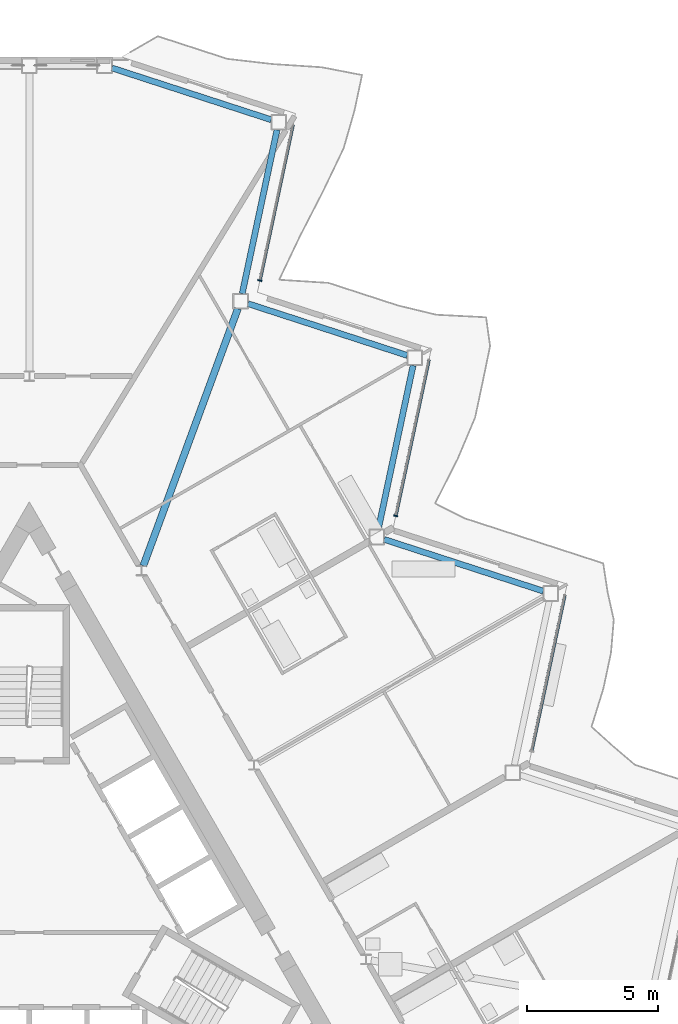
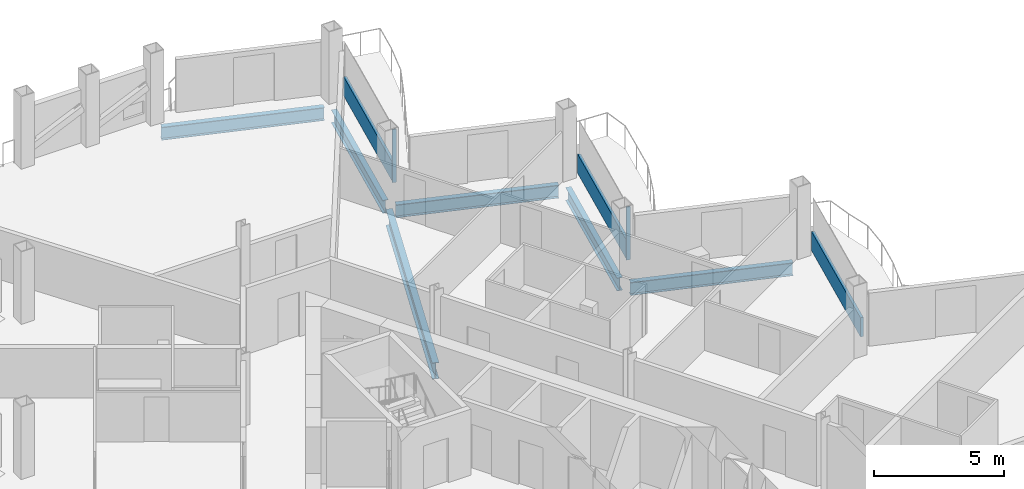
# One storey, part 11 of 28: 6 beams, 5 members, 3 elements without a shape of their own.
"""IFC4 building model written with IfcOpenShell, lengths in metres."""

from ifc_helpers import new_model, si_unit, direction, frame, origin, origin_2d, place, context, subcontext, project, spatial, rectangle, i_section, extrude, material, layer, layer_set, material_profile, profile_set, type_object, element, aggregate, save


model = new_model("IFC4")

# Units and contexts
model_context = context("Model", 3, precision=1e-05, world=origin(), true_north=direction((0.0, 1.0)))
body_context = subcontext(model_context, "Body", "Model", "MODEL_VIEW")
ifc_project = project(units=[si_unit("LENGTHUNIT", "METRE"), si_unit("AREAUNIT", "SQUARE_METRE"), si_unit("VOLUMEUNIT", "CUBIC_METRE"), si_unit("PLANEANGLEUNIT", "RADIAN"), si_unit("MASSUNIT", "GRAM", prefix="KILO")], contexts=[model_context])

# Site, building, storey
site_placement = place(None, origin())
site = spatial("IfcSite", under=ifc_project, at=site_placement, CompositionType="ELEMENT")
building_placement = place(site_placement, origin())
building = spatial("IfcBuilding", under=site, at=building_placement, Name="Cormorant Prow Tower", CompositionType="ELEMENT")
storey_placement = place(building_placement, frame((0.0, 0.0, 305.199951171875)))
storey = spatial("IfcBuildingStorey", under=building, at=storey_placement, Name="L66", CompositionType="ELEMENT", Elevation=305.199951171875)

# Beam
ifc_material_1 = material(Name="Structural steel ASTM A992 Gr 50", Category="steel")
ifc_material_profile_1 = material_profile(ifc_material_1, i_section(OverallWidth=0.267822265625, OverallDepth=0.77001953125, WebThickness=0.015625, FlangeThickness=0.025390625, at=origin_2d()), Name="W30x132")
ifc_profile_set_1 = profile_set([ifc_material_profile_1], Name="Structural steel ASTM A992 Gr 50")
beam_type_1 = type_object("IfcBeamType", Name="Radial floor beam W30x132", PredefinedType="BEAM", material=ifc_profile_set_1)
beam_1_placement = place(storey_placement, frame((4.357421875, 12.5673828125, -0.684814453125), z_axis=(0.345131226703, 0.938554439739, 0.0), x_axis=(-0.938554439739, 0.345131226703, 0.0)))
element("IfcBeam", 1, at=beam_1_placement, inside=storey, type_object=beam_type_1, Name="Radial floor beam FB3 12 L66", PredefinedType="BEAM", context=body_context, shape_type="SweptSolid", body=[
    extrude(i_section(OverallWidth=0.267822265625, OverallDepth=0.77001953125, WebThickness=0.015625, FlangeThickness=0.025390625, at=origin_2d()), origin(), (0.0, 0.0, 1.0), 10.465087890625),
])

# Curtain wall, member
ifc_material_2 = material(Name="Aluminium 6063-T6", Category="aluminium")
ifc_layer = layer(ifc_material_2, 0.159912109375)
ifc_layer_set = layer_set([ifc_layer], Name="Aluminium 6063-T6")
curtain_wall_type = type_object("IfcCurtainWallType", Name="Residential unitised curtain wall 160", PredefinedType="NOTDEFINED", material=ifc_layer_set)
curtain_wall_1_placement = place(storey_placement, origin())
curtain_wall_1 = element("IfcCurtainWall", 2, at=curtain_wall_1_placement, inside=storey, type_object=curtain_wall_type, Name="Residential curtain wall ENE06", PredefinedType="NOTDEFINED")
ifc_material_3 = material(Name="Aluminium 6063-T6", Category="aluminium")
ifc_material_profile_2 = material_profile(ifc_material_3, rectangle(XDim=0.159912109375, YDim=0.050048828125, at=origin_2d()), Name="Residential mullion 50x160")
ifc_profile_set_2 = profile_set([ifc_material_profile_2], Name="Aluminium 6063-T6")
member_type_1 = type_object("IfcMemberType", Name="Residential mullion 50x160", PredefinedType="MULLION", material=ifc_profile_set_2)
member_1_placement = place(storey_placement, frame((14.001953125, 14.471923828125, 0.0), z_axis=(0.0, 0.0, 1.0), x_axis=(-0.978147600523, 0.207911691808, 0.0)))
member_1 = element("IfcMember", 3, at=member_1_placement, type_object=member_type_1, Name="Residential mullion ENE06", PredefinedType="MULLION", context=body_context, shape_type="SweptSolid", body=[
    extrude(rectangle(XDim=0.159912109375, YDim=0.050048828125, at=origin_2d()), origin(), (0.0, 0.0, 1.0), 2.488037109375),
])

curtain_wall_2_placement = place(storey_placement, origin())
curtain_wall_2 = element("IfcCurtainWall", 4, at=curtain_wall_2_placement, inside=storey, type_object=curtain_wall_type, Name="Residential curtain wall ENE08", PredefinedType="NOTDEFINED")
member_2_placement = place(storey_placement, frame((8.81103515625, 23.462890625, 0.0), z_axis=(0.0, 0.0, 1.0), x_axis=(-0.978147606714, 0.207911662683, 0.0)))
member_2 = element("IfcMember", 5, at=member_2_placement, type_object=member_type_1, Name="Residential mullion ENE08", PredefinedType="MULLION", context=body_context, shape_type="SweptSolid", body=[
    extrude(rectangle(XDim=0.159912109375, YDim=0.050048828125, at=origin_2d()), origin(), (0.0, 0.0, 1.0), 2.488037109375),
])

curtain_wall_3_placement = place(storey_placement, origin())
curtain_wall_3 = element("IfcCurtainWall", 6, at=curtain_wall_3_placement, inside=storey, type_object=curtain_wall_type, Name="Residential curtain wall ENE04", PredefinedType="NOTDEFINED")
ifc_material_4 = material(Name="Terracotta", Category="masonry")
ifc_material_profile_3 = material_profile(ifc_material_4, rectangle(XDim=0.1201171875, YDim=0.89990234375, at=origin_2d()), Name="Residential terracotta spandrel rail 120x900")
ifc_profile_set_3 = profile_set([ifc_material_profile_3], Name="Terracotta")
member_type_2 = type_object("IfcMemberType", Name="Residential terracotta spandrel rail 120x900", PredefinedType="USERDEFINED", material=ifc_profile_set_3)
member_3_placement = place(storey_placement, frame((19.1982421875, 5.50537109375, 0.449951171875), z_axis=(0.207918432162, 0.978146167793, 0.0), x_axis=(-0.978146167793, 0.207918432162, 0.0)))
member_3 = element("IfcMember", 7, at=member_3_placement, type_object=member_type_2, Name="Residential spandrel rail ENE04", ObjectType="TRANSOM", PredefinedType="USERDEFINED", context=body_context, shape_type="SweptSolid", body=[
    extrude(rectangle(XDim=0.1201171875, YDim=0.89990234375, at=origin_2d()), origin(), (0.0, 0.0, 1.0), 6.067138671875),
])
aggregate(curtain_wall_3, [member_3])

# Member
member_4_placement = place(storey_placement, frame((14.00732421875, 14.496337890625, 0.449951171875), z_axis=(0.207879931562, 0.978154350833, 0.0), x_axis=(-0.978154350833, 0.207879931562, 0.0)))
member_4 = element("IfcMember", 8, at=member_4_placement, type_object=member_type_2, Name="Residential spandrel rail ENE06", ObjectType="TRANSOM", PredefinedType="USERDEFINED", context=body_context, shape_type="SweptSolid", body=[
    extrude(rectangle(XDim=0.1201171875, YDim=0.89990234375, at=origin_2d()), origin(), (0.0, 0.0, 1.0), 6.067138671875),
])

aggregate(curtain_wall_1, [member_1, member_4])

member_5_placement = place(storey_placement, frame((8.81640625, 23.4873046875, 0.449951171875), z_axis=(0.207879931562, 0.978154350833, 0.0), x_axis=(-0.978154350833, 0.207879931562, 0.0)))
member_5 = element("IfcMember", 9, at=member_5_placement, type_object=member_type_2, Name="Residential spandrel rail ENE08", ObjectType="TRANSOM", PredefinedType="USERDEFINED", context=body_context, shape_type="SweptSolid", body=[
    extrude(rectangle(XDim=0.1201171875, YDim=0.89990234375, at=origin_2d()), origin(), (0.0, 0.0, 1.0), 6.067138671875),
])

aggregate(curtain_wall_2, [member_2, member_5])

# Beams
ifc_material_5 = material(Name="Structural steel ASTM A992 Gr 50", Category="steel")
ifc_material_profile_4 = material_profile(ifc_material_5, i_section(OverallWidth=0.22900390625, OverallDepth=0.612060546875, WebThickness=0.011962890625, FlangeThickness=0.01953125, at=origin_2d()), Name="W24x84")
ifc_profile_set_4 = profile_set([ifc_material_profile_4], Name="Structural steel ASTM A992 Gr 50")
beam_type_2 = type_object("IfcBeamType", Name="Spandrel beam W24x84", PredefinedType="SPANDREL", material=ifc_profile_set_4)
for number, where, z_axis, x_axis, name in (
    (10, (19.640380859375, 11.5966796875, -0.60595703125), (-0.95105314132, 0.309027381286, 0.0), (-0.309027381286, -0.95105314132, 0.0), "Spandrel beam SB3 ENE05-ENE06 L66"),
    (11, (13.334228515625, 13.95947265625, -0.60595703125), (0.207920386839, 0.978145752297, 0.0), (-0.978145752297, 0.207920386839, 0.0), "Spandrel beam SB3 ENE06-ENE07 L66"),
    (12, (14.441162109375, 20.601806640625, -0.60595703125), (-0.95105314132, 0.309027381286, 0.0), (-0.309027381286, -0.95105314132, 0.0), "Spandrel beam SB3 ENE07-ENE08 L66"),
):
    element("IfcBeam", number, at=place(storey_placement, frame(where, z_axis=z_axis, x_axis=x_axis)), inside=storey, type_object=beam_type_2, Name=name, PredefinedType="SPANDREL", context=body_context, shape_type="SweptSolid", body=[
        extrude(i_section(OverallWidth=0.22900390625, OverallDepth=0.612060546875, WebThickness=0.011962890625, FlangeThickness=0.01953125, at=origin_2d()), origin(), (0.0, 0.0, 1.0), 6.39599609375),
    ])
beam_2_placement = place(storey_placement, frame((8.13525390625, 22.96435546875, -0.60595703125), z_axis=(0.20791262393, 0.978147402394, 0.0), x_axis=(-0.978147402394, 0.20791262393, 0.0)))
element("IfcBeam", 13, at=beam_2_placement, inside=storey, type_object=beam_type_2, Name="Spandrel beam SB3 ENE08-ENE09 L66", PredefinedType="SPANDREL", context=body_context, shape_type="SweptSolid", body=[
    extrude(i_section(OverallWidth=0.22900390625, OverallDepth=0.612060546875, WebThickness=0.011962890625, FlangeThickness=0.01953125, at=origin_2d()), origin(), (0.0, 0.0, 1.0), 6.396240234375),
])
beam_3_placement = place(storey_placement, frame((9.2421875, 29.60693359375, -0.60595703125), z_axis=(-0.951064359156, 0.308992855489, 0.0), x_axis=(-0.308992855489, -0.951064359156, 0.0)))
element("IfcBeam", 14, at=beam_3_placement, inside=storey, type_object=beam_type_2, Name="Spandrel beam SB3 ENE09-N00 L66", PredefinedType="SPANDREL", context=body_context, shape_type="SweptSolid", body=[
    extrude(i_section(OverallWidth=0.22900390625, OverallDepth=0.612060546875, WebThickness=0.011962890625, FlangeThickness=0.01953125, at=origin_2d()), origin(), (0.0, 0.0, 1.0), 6.39599609375),
])

save(model, "model.ifc")
